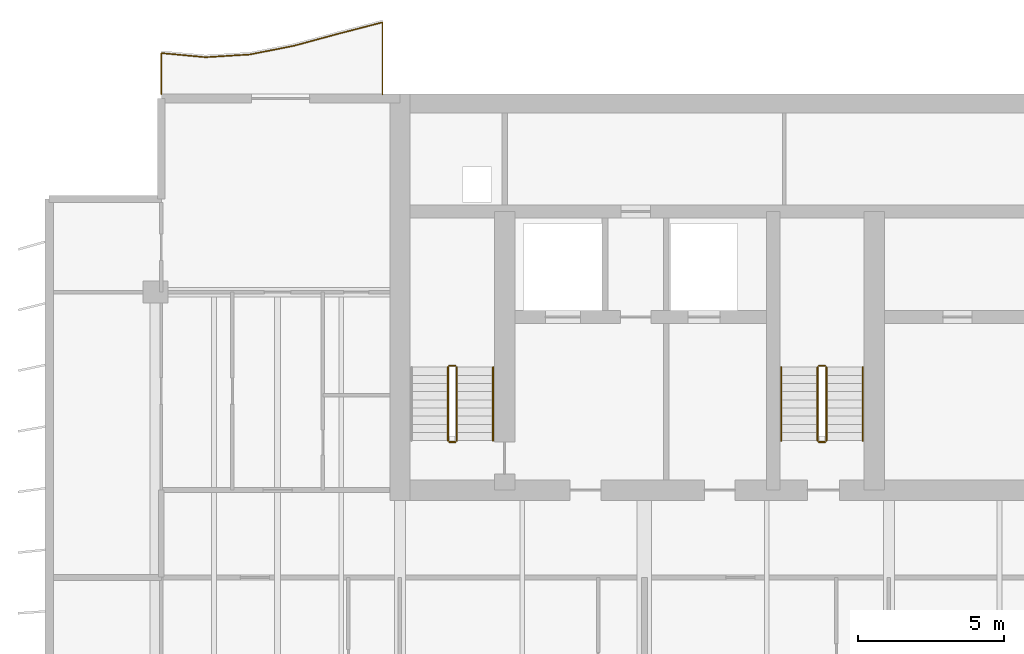
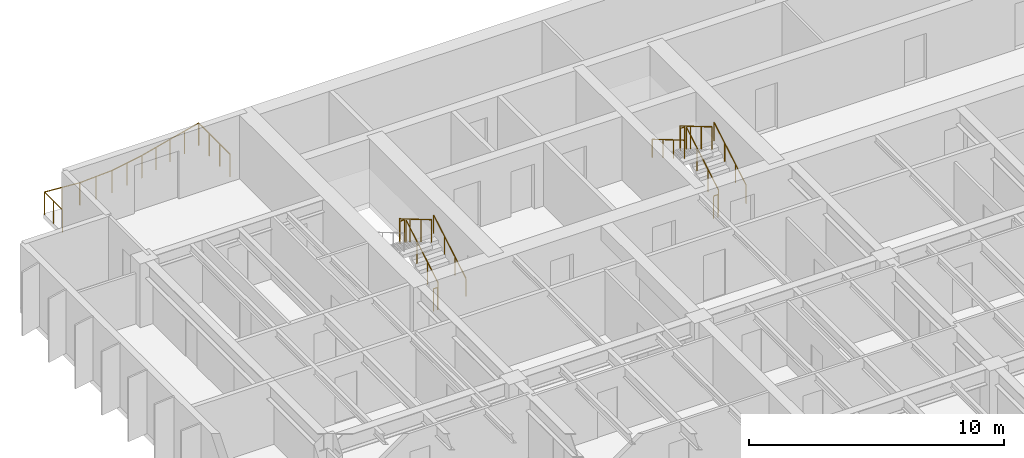
# One storey, part 15 of 17: 12 railings.
"""IFC4 building model written with IfcOpenShell, lengths in metres."""

from ifc_helpers import new_model, si_unit, direction, frame, origin, origin_2d, place, context, subcontext, project, spatial, circle, extrude, material, type_object, element, save


model = new_model("IFC4")

# Units and contexts
model_context = context("Model", 3, precision=1e-05, world=origin(), true_north=direction((0.0, 1.0)))
body_context = subcontext(model_context, "Body", "Model", "MODEL_VIEW")
ifc_project = project(units=[si_unit("LENGTHUNIT", "METRE"), si_unit("AREAUNIT", "SQUARE_METRE"), si_unit("VOLUMEUNIT", "CUBIC_METRE"), si_unit("PLANEANGLEUNIT", "RADIAN"), si_unit("MASSUNIT", "GRAM", prefix="KILO")], contexts=[model_context])

# Site, building, storey
site_placement = place(None, origin())
site = spatial("IfcSite", under=ifc_project, at=site_placement, CompositionType="ELEMENT")
building_placement = place(site_placement, origin())
building = spatial("IfcBuilding", under=site, at=building_placement, Name="Caelmar Bay Residences", CompositionType="ELEMENT")
storey_placement = place(building_placement, frame((0.0, 0.0, 204.89990234375)))
storey = spatial("IfcBuildingStorey", under=building, at=storey_placement, Name="L57", CompositionType="ELEMENT", Elevation=204.89990234375)

# Railings
ifc_material_1 = material(Name="Anodised bronze handrail with laminated hurricane glass infill", Category="glass")
railing_type_1 = type_object("IfcRailingType", Name="RL-BAL-1100", PredefinedType="BALUSTRADE", material=ifc_material_1)
railing_1_placement = place(storey_placement, frame((17.699951171875, 50.60009765625, 0.0)))
element("IfcRailing", 1, at=railing_1_placement, inside=storey, type_object=railing_type_1, Name="L57 north_west Balcony Balustrade", PredefinedType="BALUSTRADE", context=body_context, shape_type="SweptSolid", body=[
    extrude(circle(Radius=0.02392578125, at=origin_2d()), frame((0.0, 0.0, 1.076171875), z_axis=(0.0, 1.0, 0.0), x_axis=(-1.0, 0.0, 0.0)), (0.0, 0.0, 1.0), 2.4697265625),
    extrude(circle(Radius=0.02392578125, at=origin_2d()), frame((0.0, 2.4697265625, 1.076171875), z_axis=(-0.968040251218, -0.250794880375, 0.0), x_axis=(0.250794880375, -0.968040251218, 0.0)), (0.0, 0.0, 1.0), 1.5703125),
    extrude(circle(Radius=0.02392578125, at=origin_2d()), frame((-1.52001953125, 2.075927734375, 1.076171875), z_axis=(-0.965273626461, -0.261240934884, 0.0), x_axis=(0.261240934884, -0.965273626461, 0.0)), (0.0, 0.0, 1.0), 1.57470703125),
    extrude(circle(Radius=0.02392578125, at=origin_2d()), frame((-3.0400390625, 1.66455078125, 1.076171875), z_axis=(-0.981098441437, -0.193509297476, 0.0), x_axis=(0.193509297476, -0.981098441437, 0.0)), (0.0, 0.0, 1.0), 1.54931640625),
    extrude(circle(Radius=0.02392578125, at=origin_2d()), frame((-4.56005859375, 1.36474609375, 1.076171875), z_axis=(-0.998112625987, -0.061409981647, 0.0), x_axis=(0.061409981647, -0.998112625987, 0.0)), (0.0, 0.0, 1.0), 1.522705078125),
    extrude(circle(Radius=0.02392578125, at=origin_2d()), frame((-6.079833984375, 1.271240234375, 1.076171875), z_axis=(-0.995674076689, 0.092914654442, 0.0), x_axis=(-0.092914654442, -0.995674076689, 0.0)), (0.0, 0.0, 1.0), 1.526611328125),
    extrude(circle(Radius=0.02392578125, at=origin_2d()), frame((-7.599853515625, 1.4130859375, 1.076171875), z_axis=(0.0, -1.0, 0.0), x_axis=(1.0, 0.0, 0.0)), (0.0, 0.0, 1.0), 1.4130859375),
    extrude(circle(Radius=0.02099609375, at=origin_2d()), origin(), (0.0, 0.0, 1.0), 1.052001953125),
    extrude(circle(Radius=0.02099609375, at=origin_2d()), frame((0.0, 0.8232421875, 0.0)), (0.0, 0.0, 1.0), 1.052001953125),
    extrude(circle(Radius=0.02099609375, at=origin_2d()), frame((0.0, 1.646484375, 0.0)), (0.0, 0.0, 1.0), 1.052001953125),
    extrude(circle(Radius=0.02099609375, at=origin_2d()), frame((0.0, 2.4697265625, 0.0)), (0.0, 0.0, 1.0), 1.052001953125),
    extrude(circle(Radius=0.02099609375, at=origin_2d()), frame((-0.760009765625, 2.27294921875, 0.0)), (0.0, 0.0, 1.0), 1.052001953125),
    extrude(circle(Radius=0.02099609375, at=origin_2d()), frame((-1.52001953125, 2.075927734375, 0.0)), (0.0, 0.0, 1.0), 1.052001953125),
    extrude(circle(Radius=0.02099609375, at=origin_2d()), frame((-2.280029296875, 1.8701171875, 0.0)), (0.0, 0.0, 1.0), 1.052001953125),
    extrude(circle(Radius=0.02099609375, at=origin_2d()), frame((-3.0400390625, 1.66455078125, 0.0)), (0.0, 0.0, 1.0), 1.052001953125),
    extrude(circle(Radius=0.02099609375, at=origin_2d()), frame((-3.800048828125, 1.5146484375, 0.0)), (0.0, 0.0, 1.0), 1.052001953125),
    extrude(circle(Radius=0.02099609375, at=origin_2d()), frame((-4.56005859375, 1.36474609375, 0.0)), (0.0, 0.0, 1.0), 1.052001953125),
    extrude(circle(Radius=0.02099609375, at=origin_2d()), frame((-5.31982421875, 1.31787109375, 0.0)), (0.0, 0.0, 1.0), 1.052001953125),
    extrude(circle(Radius=0.02099609375, at=origin_2d()), frame((-6.079833984375, 1.271240234375, 0.0)), (0.0, 0.0, 1.0), 1.052001953125),
    extrude(circle(Radius=0.02099609375, at=origin_2d()), frame((-6.83984375, 1.34228515625, 0.0)), (0.0, 0.0, 1.0), 1.052001953125),
    extrude(circle(Radius=0.02099609375, at=origin_2d()), frame((-7.599853515625, 1.4130859375, 0.0)), (0.0, 0.0, 1.0), 1.052001953125),
    extrude(circle(Radius=0.02099609375, at=origin_2d()), frame((-7.599853515625, 0.70654296875, 0.0)), (0.0, 0.0, 1.0), 1.052001953125),
    extrude(circle(Radius=0.02099609375, at=origin_2d()), frame((-7.599853515625, 0.0, 0.0)), (0.0, 0.0, 1.0), 1.052001953125),
])
ifc_material_2 = material(Name="Painted galvanized steel stair guard 1100 mm", Category="steel")
railing_type_2 = type_object("IfcRailingType", Name="RL-GRD-1100", PredefinedType="GUARDRAIL", material=ifc_material_2)
railing_2_placement = place(storey_placement, frame((20.25, 38.699951171875, 0.1650390625)))
element("IfcRailing", 2, at=railing_2_placement, inside=storey, type_object=railing_type_2, Name="L57 ST1 stair guard 1", PredefinedType="GUARDRAIL", context=body_context, shape_type="SweptSolid", body=[
    extrude(circle(Radius=0.02392578125, at=origin_2d()), frame((0.0, 0.0, 1.076171875), z_axis=(0.0, 0.86152411907, 0.507716645641), x_axis=(-1.0, 0.0, 0.0)), (0.0, 0.0, 1.0), 2.925048828125),
    extrude(circle(Radius=0.02099609375, at=origin_2d()), origin(), (0.0, 0.0, 1.0), 1.052001953125),
    extrude(circle(Radius=0.02099609375, at=origin_2d()), frame((0.0, 0.840087890625, 0.4951171875)), (0.0, 0.0, 1.0), 1.052001953125),
    extrude(circle(Radius=0.02099609375, at=origin_2d()), frame((0.0, 1.679931640625, 0.989990234375)), (0.0, 0.0, 1.0), 1.052001953125),
    extrude(circle(Radius=0.02099609375, at=origin_2d()), frame((0.0, 2.52001953125, 1.485107421875)), (0.0, 0.0, 1.0), 1.052001953125),
])
railing_3_placement = place(storey_placement, frame((20.199951171875, 41.27001953125, 1.650146484375)))
element("IfcRailing", 3, at=railing_3_placement, inside=storey, type_object=railing_type_2, Name="L57 ST1 stair guard 2", PredefinedType="GUARDRAIL", context=body_context, shape_type="SweptSolid", body=[
    extrude(circle(Radius=0.02392578125, at=origin_2d()), frame((0.0, 0.0, 1.076171875), z_axis=(-1.0, 0.0, 0.0), x_axis=(0.0, -1.0, 0.0)), (0.0, 0.0, 1.0), 0.199951171875),
    extrude(circle(Radius=0.02099609375, at=origin_2d()), origin(), (0.0, 0.0, 1.0), 1.052001953125),
    extrude(circle(Radius=0.02099609375, at=origin_2d()), frame((-0.199951171875, 0.0, 0.0)), (0.0, 0.0, 1.0), 1.052001953125),
])
railing_4_placement = place(storey_placement, frame((19.949951171875, 41.219970703125, 1.815185546875)))
element("IfcRailing", 4, at=railing_4_placement, inside=storey, type_object=railing_type_2, Name="L57 ST1 stair guard 3", PredefinedType="GUARDRAIL", context=body_context, shape_type="SweptSolid", body=[
    extrude(circle(Radius=0.02392578125, at=origin_2d()), frame((0.0, 0.0, 1.076171875), z_axis=(0.0, -0.861560626758, 0.507654692109), x_axis=(1.0, 0.0, 0.0)), (0.0, 0.0, 1.0), 2.925048828125),
    extrude(circle(Radius=0.02099609375, at=origin_2d()), origin(), (0.0, 0.0, 1.0), 1.052001953125),
    extrude(circle(Radius=0.02099609375, at=origin_2d()), frame((0.0, -0.840087890625, 0.494873046875)), (0.0, 0.0, 1.0), 1.052001953125),
    extrude(circle(Radius=0.02099609375, at=origin_2d()), frame((0.0, -1.679931640625, 0.989990234375)), (0.0, 0.0, 1.0), 1.052001953125),
    extrude(circle(Radius=0.02099609375, at=origin_2d()), frame((0.0, -2.52001953125, 1.48486328125)), (0.0, 0.0, 1.0), 1.052001953125),
])
railing_5_placement = place(storey_placement, frame((20.199951171875, 38.64990234375, 0.0)))
element("IfcRailing", 5, at=railing_5_placement, inside=storey, type_object=railing_type_2, Name="L57 ST1 stair guard 4", PredefinedType="GUARDRAIL", context=body_context, shape_type="SweptSolid", body=[
    extrude(circle(Radius=0.02392578125, at=origin_2d()), frame((0.0, 0.0, 1.076171875), z_axis=(-1.0, 0.0, 0.0), x_axis=(0.0, -1.0, 0.0)), (0.0, 0.0, 1.0), 0.199951171875),
    extrude(circle(Radius=0.02099609375, at=origin_2d()), origin(), (0.0, 0.0, 1.0), 1.052001953125),
    extrude(circle(Radius=0.02099609375, at=origin_2d()), frame((-0.199951171875, 0.0, 0.0)), (0.0, 0.0, 1.0), 1.052001953125),
])
railing_6_placement = place(storey_placement, frame((32.949951171875, 38.699951171875, 0.1650390625)))
element("IfcRailing", 6, at=railing_6_placement, inside=storey, type_object=railing_type_2, Name="L57 ST3 stair guard 1", PredefinedType="GUARDRAIL", context=body_context, shape_type="SweptSolid", body=[
    extrude(circle(Radius=0.02392578125, at=origin_2d()), frame((0.0, 0.0, 1.076171875), z_axis=(0.0, 0.86152411907, 0.507716645641), x_axis=(-1.0, 0.0, 0.0)), (0.0, 0.0, 1.0), 2.925048828125),
    extrude(circle(Radius=0.02099609375, at=origin_2d()), origin(), (0.0, 0.0, 1.0), 1.052001953125),
    extrude(circle(Radius=0.02099609375, at=origin_2d()), frame((0.0, 0.840087890625, 0.4951171875)), (0.0, 0.0, 1.0), 1.052001953125),
    extrude(circle(Radius=0.02099609375, at=origin_2d()), frame((0.0, 1.679931640625, 0.989990234375)), (0.0, 0.0, 1.0), 1.052001953125),
    extrude(circle(Radius=0.02099609375, at=origin_2d()), frame((0.0, 2.52001953125, 1.485107421875)), (0.0, 0.0, 1.0), 1.052001953125),
])
railing_7_placement = place(storey_placement, frame((32.89990234375, 41.27001953125, 1.650146484375)))
element("IfcRailing", 7, at=railing_7_placement, inside=storey, type_object=railing_type_2, Name="L57 ST3 stair guard 2", PredefinedType="GUARDRAIL", context=body_context, shape_type="SweptSolid", body=[
    extrude(circle(Radius=0.02392578125, at=origin_2d()), frame((0.0, 0.0, 1.076171875), z_axis=(-1.0, 0.0, 0.0), x_axis=(0.0, -1.0, 0.0)), (0.0, 0.0, 1.0), 0.199951171875),
    extrude(circle(Radius=0.02099609375, at=origin_2d()), origin(), (0.0, 0.0, 1.0), 1.052001953125),
    extrude(circle(Radius=0.02099609375, at=origin_2d()), frame((-0.199951171875, 0.0, 0.0)), (0.0, 0.0, 1.0), 1.052001953125),
])
railing_8_placement = place(storey_placement, frame((32.64990234375, 41.219970703125, 1.815185546875)))
element("IfcRailing", 8, at=railing_8_placement, inside=storey, type_object=railing_type_2, Name="L57 ST3 stair guard 3", PredefinedType="GUARDRAIL", context=body_context, shape_type="SweptSolid", body=[
    extrude(circle(Radius=0.02392578125, at=origin_2d()), frame((0.0, 0.0, 1.076171875), z_axis=(0.0, -0.861560626758, 0.507654692109), x_axis=(1.0, 0.0, 0.0)), (0.0, 0.0, 1.0), 2.925048828125),
    extrude(circle(Radius=0.02099609375, at=origin_2d()), origin(), (0.0, 0.0, 1.0), 1.052001953125),
    extrude(circle(Radius=0.02099609375, at=origin_2d()), frame((0.0, -0.840087890625, 0.494873046875)), (0.0, 0.0, 1.0), 1.052001953125),
    extrude(circle(Radius=0.02099609375, at=origin_2d()), frame((0.0, -1.679931640625, 0.989990234375)), (0.0, 0.0, 1.0), 1.052001953125),
    extrude(circle(Radius=0.02099609375, at=origin_2d()), frame((0.0, -2.52001953125, 1.48486328125)), (0.0, 0.0, 1.0), 1.052001953125),
])
railing_9_placement = place(storey_placement, frame((32.89990234375, 38.64990234375, 0.0)))
element("IfcRailing", 9, at=railing_9_placement, inside=storey, type_object=railing_type_2, Name="L57 ST3 stair guard 4", PredefinedType="GUARDRAIL", context=body_context, shape_type="SweptSolid", body=[
    extrude(circle(Radius=0.02392578125, at=origin_2d()), frame((0.0, 0.0, 1.076171875), z_axis=(-1.0, 0.0, 0.0), x_axis=(0.0, -1.0, 0.0)), (0.0, 0.0, 1.0), 0.199951171875),
    extrude(circle(Radius=0.02099609375, at=origin_2d()), origin(), (0.0, 0.0, 1.0), 1.052001953125),
    extrude(circle(Radius=0.02099609375, at=origin_2d()), frame((-0.199951171875, 0.0, 0.0)), (0.0, 0.0, 1.0), 1.052001953125),
])
ifc_material_3 = material(Name="Brushed bronze stainless-steel tubular handrail 900 mm", Category="steel")
railing_type_3 = type_object("IfcRailingType", Name="RL-HND-900", PredefinedType="HANDRAIL", material=ifc_material_3)
for number, where, name in (
    (10, (21.5, 38.699951171875, 0.1650390625), "L57 ST1 stair handrail 1"),
    (11, (34.199951171875, 38.699951171875, 0.1650390625), "L57 ST3 stair handrail 1"),
):
    element("IfcRailing", number, at=place(storey_placement, frame(where)), inside=storey, type_object=railing_type_3, Name=name, PredefinedType="HANDRAIL", context=body_context, shape_type="SweptSolid", body=[
        extrude(circle(Radius=0.02392578125, at=origin_2d()), frame((0.0, 0.0, 0.8759765625), z_axis=(0.0, 0.86152411907, 0.507716645641), x_axis=(-1.0, 0.0, 0.0)), (0.0, 0.0, 1.0), 2.925048828125),
        extrude(circle(Radius=0.02099609375, at=origin_2d()), origin(), (0.0, 0.0, 1.0), 0.851806640625),
        extrude(circle(Radius=0.02099609375, at=origin_2d()), frame((0.0, 0.840087890625, 0.4951171875)), (0.0, 0.0, 1.0), 0.851806640625),
        extrude(circle(Radius=0.02099609375, at=origin_2d()), frame((0.0, 1.679931640625, 0.989990234375)), (0.0, 0.0, 1.0), 0.851806640625),
        extrude(circle(Radius=0.02099609375, at=origin_2d()), frame((0.0, 2.52001953125, 1.485107421875)), (0.0, 0.0, 1.0), 0.851806640625),
    ])
railing_10_placement = place(storey_placement, frame((31.39990234375, 41.219970703125, 1.815185546875)))
element("IfcRailing", 12, at=railing_10_placement, inside=storey, type_object=railing_type_3, Name="L57 ST3 stair handrail 2", PredefinedType="HANDRAIL", context=body_context, shape_type="SweptSolid", body=[
    extrude(circle(Radius=0.02392578125, at=origin_2d()), frame((0.0, 0.0, 0.8759765625), z_axis=(0.0, -0.861560626758, 0.507654692109), x_axis=(1.0, 0.0, 0.0)), (0.0, 0.0, 1.0), 2.925048828125),
    extrude(circle(Radius=0.02099609375, at=origin_2d()), origin(), (0.0, 0.0, 1.0), 0.851806640625),
    extrude(circle(Radius=0.02099609375, at=origin_2d()), frame((0.0, -0.840087890625, 0.494873046875)), (0.0, 0.0, 1.0), 0.851806640625),
    extrude(circle(Radius=0.02099609375, at=origin_2d()), frame((0.0, -1.679931640625, 0.989990234375)), (0.0, 0.0, 1.0), 0.851806640625),
    extrude(circle(Radius=0.02099609375, at=origin_2d()), frame((0.0, -2.52001953125, 1.48486328125)), (0.0, 0.0, 1.0), 0.851806640625),
])

save(model, "model.ifc")
